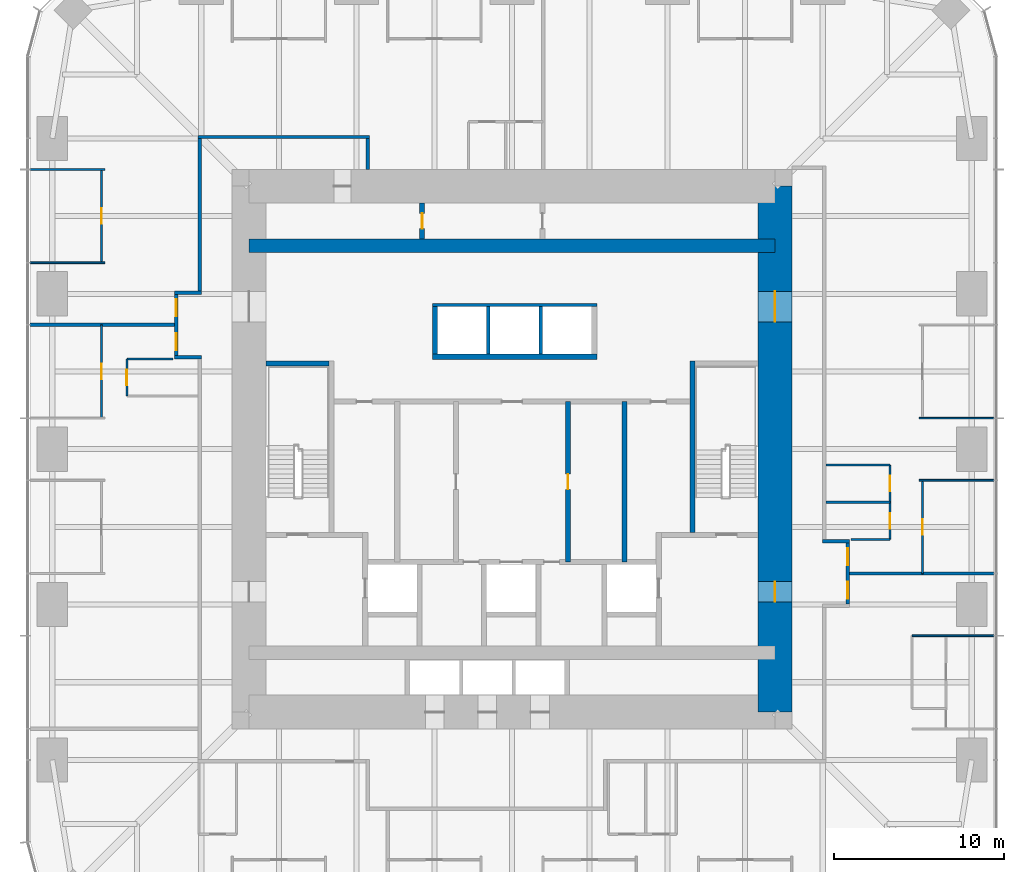
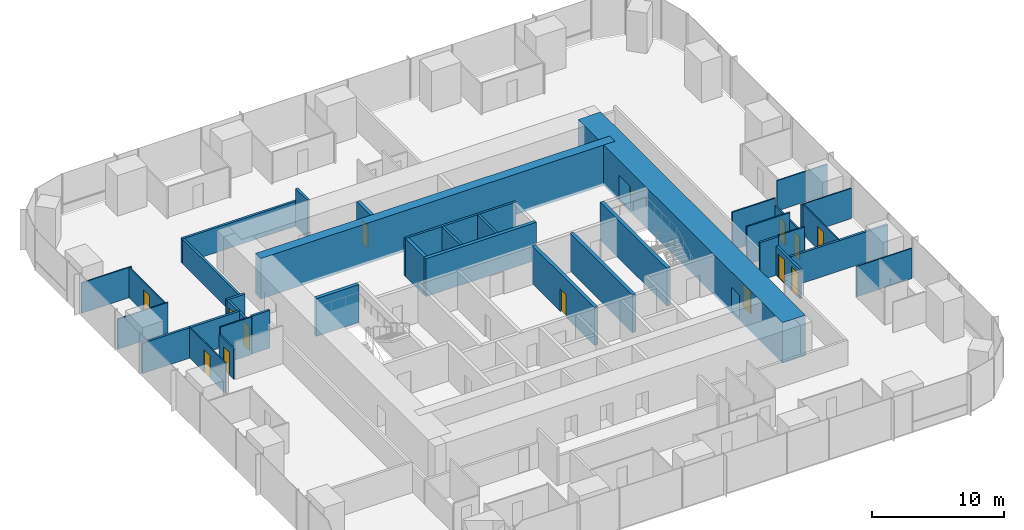
# One storey, part 10 of 12: 36 walls, 14 doors, 14 openings.
"""IFC4 building model written with IfcOpenShell, lengths in metres."""

from ifc_helpers import new_model, si_unit, direction, frame, frame_2d, origin, place, context, subcontext, project, spatial, rectangle, extrude, material, layer, layer_set, type_object, element, fill, save


model = new_model("IFC4")

# Units and contexts
model_context = context("Model", 3, precision=1e-05, world=origin(), true_north=direction((0.0, 1.0)))
body_context = subcontext(model_context, "Body", "Model", "MODEL_VIEW")
ifc_project = project(units=[si_unit("LENGTHUNIT", "METRE"), si_unit("AREAUNIT", "SQUARE_METRE"), si_unit("VOLUMEUNIT", "CUBIC_METRE"), si_unit("PLANEANGLEUNIT", "RADIAN"), si_unit("MASSUNIT", "GRAM", prefix="KILO")], contexts=[model_context])

# Site, building, storey
site_placement = place(None, origin())
site = spatial("IfcSite", under=ifc_project, at=site_placement, CompositionType="ELEMENT")
building_placement = place(site_placement, origin())
building = spatial("IfcBuilding", under=site, at=building_placement, Name="Khuree Lantern Residences", CompositionType="ELEMENT")
storey_placement = place(building_placement, frame((0.0, 0.0, 167.25)))
storey = spatial("IfcBuildingStorey", under=building, at=storey_placement, Name="L42", CompositionType="ELEMENT", Elevation=167.25)

# Wall, openings, doors
ifc_material_1 = material(Name="Moisture-resistant gypsum board on steel studs", Category="steel")
ifc_layer_1 = layer(ifc_material_1, 0.125)
ifc_layer_set_1 = layer_set([ifc_layer_1], Name="BATHROOM WALL BTW125")
wall_type_1 = type_object("IfcWallType", Name="BATHROOM WALL BTW125", PredefinedType="PARTITIONING", material=ifc_layer_set_1)
wall_1_placement = place(storey_placement, frame((22.27978515625, -5.327880859375, 0.0), z_axis=(0.0, 0.0, 1.0), x_axis=(0.0, 1.0, 0.0)))
wall_1 = element("IfcWall", 1, at=wall_1_placement, inside=storey, type_object=wall_type_1, Name="L42 BATHROOM WALL 01", PredefinedType="PARTITIONING", context=body_context, shape_type="SweptSolid", body=[
    extrude(rectangle(XDim=4.39990234375, YDim=0.125, at=frame_2d((2.199951171875, 0.0))), origin(), (0.0, 0.0, 1.0), 2.81005859375),
])
opening_1_placement = place(wall_1_placement, frame((0.64990234375, 0.0, 0.0)))
opening_1 = element("IfcOpeningElement", 2, at=opening_1_placement, cuts=wall_1, Name="Opening 42-026", PredefinedType="OPENING", context=body_context, shape_type="SweptSolid", body=[
    extrude(rectangle(XDim=0.89990234375, YDim=2.10009765625, at=frame_2d((0.449951171875, 1.050048828125))), frame((0.0, 0.072509765625, 0.0), z_axis=(0.0, -1.0, 0.0), x_axis=(1.0, 0.0, 0.0)), (0.0, 0.0, 1.0), 0.14501953125),
])
opening_2_placement = place(wall_1_placement, frame((2.85009765625, 0.0, 0.0)))
opening_2 = element("IfcOpeningElement", 3, at=opening_2_placement, cuts=wall_1, Name="Opening 42-027", PredefinedType="OPENING", context=body_context, shape_type="SweptSolid", body=[
    extrude(rectangle(XDim=0.89990234375, YDim=2.10009765625, at=frame_2d((0.449951171875, 1.050048828125))), frame((0.0, 0.072509765625, 0.0), z_axis=(0.0, -1.0, 0.0), x_axis=(1.0, 0.0, 0.0)), (0.0, 0.0, 1.0), 0.14501953125),
])
ifc_material_2 = material(Name="Timber door leaf in hardwood frame", Category="wood")
door_type_1 = type_object("IfcDoorType", Name="BATHROOM DOOR 900X2100", OperationType="SINGLE_SWING_LEFT", PredefinedType="DOOR", material=ifc_material_2)
door_1_placement = place(opening_1_placement, origin())
door_1 = element("IfcDoor", 4, at=door_1_placement, inside=storey, type_object=door_type_1, Name="Bathroom door 42-026", OperationType="SINGLE_SWING_LEFT", OverallHeight=2.10009765625, OverallWidth=0.89990234375, PredefinedType="DOOR", context=body_context, shape_type="SweptSolid", body=[
    extrude(rectangle(XDim=0.89990234375, YDim=2.10009765625, at=frame_2d((0.449951171875, 1.050048828125))), frame((0.0, 0.02490234375, 0.0), z_axis=(0.0, -1.0, 0.0), x_axis=(1.0, 0.0, 0.0)), (0.0, 0.0, 1.0), 0.050048828125),
])
fill(opening_1, door_1)
door_2_placement = place(opening_2_placement, origin())
door_2 = element("IfcDoor", 5, at=door_2_placement, inside=storey, type_object=door_type_1, Name="Bathroom door 42-027", OperationType="SINGLE_SWING_LEFT", OverallHeight=2.10009765625, OverallWidth=0.89990234375, PredefinedType="DOOR", context=body_context, shape_type="SweptSolid", body=[
    extrude(rectangle(XDim=0.89990234375, YDim=2.10009765625, at=frame_2d((0.449951171875, 1.050048828125))), frame((0.0, 0.02490234375, 0.0), z_axis=(0.0, -1.0, 0.0), x_axis=(1.0, 0.0, 0.0)), (0.0, 0.0, 1.0), 0.050048828125),
])
fill(opening_2, door_2)

# Walls
wall_2_placement = place(storey_placement, frame((19.969970703125, -5.327880859375, 0.0), z_axis=(0.0, 0.0, 1.0), x_axis=(1.0, 0.0, 0.0)))
element("IfcWall", 6, at=wall_2_placement, inside=storey, type_object=wall_type_1, Name="L42 BATHROOM WALL 01", PredefinedType="PARTITIONING", context=body_context, shape_type="SweptSolid", body=[
    extrude(rectangle(XDim=2.309814453125, YDim=0.125, at=frame_2d((1.15478515625, 0.0))), origin(), (0.0, 0.0, 1.0), 3.5),
])
for number, where, z_axis, x_axis, name in (
    (7, (18.5, -3.1279296875, 0.0), (0.0, 0.0, 1.0), (1.0, 0.0, 0.0), "L42 BATHROOM WALL 01"),
    (8, (18.5, -0.927978515625, 0.0), (0.0, 0.0, 1.0), (1.0, 0.0, 0.0), "L42 BATHROOM WALL 01"),
):
    element("IfcWall", number, at=place(storey_placement, frame(where, z_axis=z_axis, x_axis=x_axis)), inside=storey, type_object=wall_type_1, Name=name, PredefinedType="PARTITIONING", context=body_context, shape_type="SweptSolid", body=[
        extrude(rectangle(XDim=3.77978515625, YDim=0.125, at=frame_2d((1.889892578125, 0.0))), origin(), (0.0, 0.0, 1.0), 3.5),
    ])

# Wall, opening, door
wall_3_placement = place(storey_placement, frame((-22.699951171875, 5.327880859375, 0.0), z_axis=(0.0, 0.0, 1.0), x_axis=(0.0, -1.0, 0.0)))
wall_3 = element("IfcWall", 9, at=wall_3_placement, inside=storey, type_object=wall_type_1, Name="L42 BATHROOM WALL 03", PredefinedType="PARTITIONING", context=body_context, shape_type="SweptSolid", body=[
    extrude(rectangle(XDim=2.199951171875, YDim=0.125, at=frame_2d((1.10009765625, 0.0))), origin(), (0.0, 0.0, 1.0), 2.81005859375),
])
opening_3_placement = place(wall_3_placement, frame((0.64990234375, 0.0, 0.0)))
opening_3 = element("IfcOpeningElement", 10, at=opening_3_placement, cuts=wall_3, Name="Opening 42-037", PredefinedType="OPENING", context=body_context, shape_type="SweptSolid", body=[
    extrude(rectangle(XDim=0.89990234375, YDim=2.10009765625, at=frame_2d((0.449951171875, 1.050048828125))), frame((0.0, 0.072509765625, 0.0), z_axis=(0.0, -1.0, 0.0), x_axis=(1.0, 0.0, 0.0)), (0.0, 0.0, 1.0), 0.14501953125),
])
door_3_placement = place(opening_3_placement, origin())
door_3 = element("IfcDoor", 11, at=door_3_placement, inside=storey, type_object=door_type_1, Name="Bathroom door 42-037", OperationType="SINGLE_SWING_LEFT", OverallHeight=2.10009765625, OverallWidth=0.89990234375, PredefinedType="DOOR", context=body_context, shape_type="SweptSolid", body=[
    extrude(rectangle(XDim=0.89990234375, YDim=2.10009765625, at=frame_2d((0.449951171875, 1.050048828125))), frame((0.0, 0.02490234375, 0.0), z_axis=(0.0, -1.0, 0.0), x_axis=(1.0, 0.0, 0.0)), (0.0, 0.0, 1.0), 0.050048828125),
])
fill(opening_3, door_3)

# Walls
wall_4_placement = place(storey_placement, frame((-19.969970703125, 5.327880859375, 0.0), z_axis=(0.0, 0.0, 1.0), x_axis=(-1.0, 0.0, 0.0)))
element("IfcWall", 12, at=wall_4_placement, inside=storey, type_object=wall_type_1, Name="L42 BATHROOM WALL 03", PredefinedType="PARTITIONING", context=body_context, shape_type="SweptSolid", body=[
    extrude(rectangle(XDim=2.72998046875, YDim=0.125, at=frame_2d((1.364990234375, 0.0))), origin(), (0.0, 0.0, 1.0), 3.5),
])
ifc_material_3 = material(Name="Dense concrete blockwork", Category="masonry")
ifc_layer_2 = layer(ifc_material_3, 0.300048828125)
ifc_layer_set_2 = layer_set([ifc_layer_2], Name="CORE PARTITION WALL CPW300 EI 120")
wall_type_2 = type_object("IfcWallType", Name="CORE PARTITION WALL CPW300 EI 120", PredefinedType="PARTITIONING", material=ifc_layer_set_2)
wall_5_placement = place(storey_placement, frame((-4.699951171875, 5.449951171875, 0.0), z_axis=(0.0, 0.0, 1.0), x_axis=(1.0, 0.0, 0.0)))
element("IfcWall", 13, at=wall_5_placement, inside=storey, type_object=wall_type_2, Name="L42 CORE WALL PHS", PredefinedType="PARTITIONING", context=body_context, shape_type="SweptSolid", body=[
    extrude(rectangle(XDim=9.699951171875, YDim=0.300048828125, at=frame_2d((4.85009765625, 0.0))), origin(), (0.0, 0.0, 1.0), 3.5),
])
wall_6_placement = place(storey_placement, frame((-4.550048828125, 5.60009765625, 0.0), z_axis=(0.0, 0.0, 1.0), x_axis=(0.0, 1.0, 0.0)))
element("IfcWall", 14, at=wall_6_placement, inside=storey, type_object=wall_type_2, Name="L42 CORE WALL PHW", PredefinedType="PARTITIONING", context=body_context, shape_type="SweptSolid", body=[
    extrude(rectangle(XDim=2.7998046875, YDim=0.300048828125, at=frame_2d((1.39990234375, 0.0))), origin(), (0.0, 0.0, 1.0), 3.5),
])

# Wall, opening, door
wall_7_placement = place(storey_placement, frame((3.300048828125, -6.64990234375, 0.0), z_axis=(0.0, 0.0, 1.0), x_axis=(0.0, 1.0, 0.0)))
wall_7 = element("IfcWall", 15, at=wall_7_placement, inside=storey, type_object=wall_type_2, Name="L42 CORE WALL SVE", PredefinedType="PARTITIONING", context=body_context, shape_type="SweptSolid", body=[
    extrude(rectangle(XDim=9.449951171875, YDim=0.300048828125, at=frame_2d((4.72509765625, 0.0))), origin(), (0.0, 0.0, 1.0), 3.5),
])
opening_4_placement = place(wall_7_placement, frame((4.27490234375, 0.0, 0.0)))
opening_4 = element("IfcOpeningElement", 16, at=opening_4_placement, cuts=wall_7, Name="Opening 42-018", PredefinedType="OPENING", context=body_context, shape_type="SweptSolid", body=[
    extrude(rectangle(XDim=0.89990234375, YDim=2.10009765625, at=frame_2d((0.449951171875, 1.050048828125))), frame((0.0, 0.16015625, 0.0), z_axis=(0.0, -1.0, 0.0), x_axis=(1.0, 0.0, 0.0)), (0.0, 0.0, 1.0), 0.320068359375),
])
door_type_2 = type_object("IfcDoorType", Name="DOOR 900X2100", OperationType="SINGLE_SWING_LEFT", PredefinedType="DOOR", material=ifc_material_2)
door_4_placement = place(opening_4_placement, origin())
door_4 = element("IfcDoor", 17, at=door_4_placement, inside=storey, type_object=door_type_2, Name="Residents' store door 42-018", OperationType="SINGLE_SWING_LEFT", OverallHeight=2.10009765625, OverallWidth=0.89990234375, PredefinedType="DOOR", context=body_context, shape_type="SweptSolid", body=[
    extrude(rectangle(XDim=0.89990234375, YDim=2.10009765625, at=frame_2d((0.449951171875, 1.050048828125))), frame((0.0, 0.02490234375, 0.0), z_axis=(0.0, -1.0, 0.0), x_axis=(1.0, 0.0, 0.0)), (0.0, 0.0, 1.0), 0.050048828125),
])
fill(opening_4, door_4)

# Wall
wall_8_placement = place(storey_placement, frame((6.6220703125, -6.64990234375, 0.0), z_axis=(0.0, 0.0, 1.0), x_axis=(0.0, 1.0, 0.0)))
element("IfcWall", 18, at=wall_8_placement, inside=storey, type_object=wall_type_2, Name="L42 CORE WALL EV", PredefinedType="PARTITIONING", context=body_context, shape_type="SweptSolid", body=[
    extrude(rectangle(XDim=9.449951171875, YDim=0.300048828125, at=frame_2d((4.72509765625, 0.0))), origin(), (0.0, 0.0, 1.0), 3.5),
])

# Wall, opening, door
wall_9_placement = place(storey_placement, frame((-5.300048828125, 12.39990234375, 0.0), z_axis=(0.0, 0.0, 1.0), x_axis=(0.0, 1.0, 0.0)))
wall_9 = element("IfcWall", 19, at=wall_9_placement, inside=storey, type_object=wall_type_2, Name="L42 CORE WALL PLX", PredefinedType="PARTITIONING", context=body_context, shape_type="SweptSolid", body=[
    extrude(rectangle(XDim=2.10009765625, YDim=0.300048828125, at=frame_2d((1.050048828125, 0.0))), origin(), (0.0, 0.0, 1.0), 3.5),
])
opening_5_placement = place(wall_9_placement, frame((0.60009765625, 0.0, 0.0)))
opening_5 = element("IfcOpeningElement", 20, at=opening_5_placement, cuts=wall_9, Name="Opening 42-020", PredefinedType="OPENING", context=body_context, shape_type="SweptSolid", body=[
    extrude(rectangle(XDim=0.89990234375, YDim=2.10009765625, at=frame_2d((0.449951171875, 1.050048828125))), frame((0.0, 0.16015625, 0.0), z_axis=(0.0, -1.0, 0.0), x_axis=(1.0, 0.0, 0.0)), (0.0, 0.0, 1.0), 0.320068359375),
])
door_5_placement = place(opening_5_placement, origin())
door_5 = element("IfcDoor", 21, at=door_5_placement, inside=storey, type_object=door_type_2, Name="Store door 42-020", OperationType="SINGLE_SWING_LEFT", OverallHeight=2.10009765625, OverallWidth=0.89990234375, PredefinedType="DOOR", context=body_context, shape_type="SweptSolid", body=[
    extrude(rectangle(XDim=0.89990234375, YDim=2.10009765625, at=frame_2d((0.449951171875, 1.050048828125))), frame((0.0, 0.02490234375, 0.0), z_axis=(0.0, -1.0, 0.0), x_axis=(1.0, 0.0, 0.0)), (0.0, 0.0, 1.0), 0.050048828125),
])
fill(opening_5, door_5)

# Walls
ifc_material_4 = material(Name="Gypsum board on steel studs", Category="steel")
ifc_layer_3 = layer(ifc_material_4, 0.199951171875)
ifc_layer_set_3 = layer_set([ifc_layer_3], Name="CORRIDOR WALL CRW200 EI 60")
wall_type_3 = type_object("IfcWallType", Name="CORRIDOR WALL CRW200 EI 60", PredefinedType="PARTITIONING", material=ifc_layer_set_3)
wall_10_placement = place(storey_placement, frame((-18.5, 18.39990234375, 0.0), z_axis=(0.0, 0.0, 1.0), x_axis=(1.0, 0.0, 0.0)))
element("IfcWall", 22, at=wall_10_placement, inside=storey, type_object=wall_type_3, Name="L42 CORRIDOR WALL NORTH", PredefinedType="PARTITIONING", context=body_context, shape_type="SweptSolid", body=[
    extrude(rectangle(XDim=10.10009765625, YDim=0.199951171875, at=frame_2d((5.050048828125, 0.0))), origin(), (0.0, 0.0, 1.0), 2.300048828125),
])
wall_11_placement = place(storey_placement, frame((-8.5, 18.300048828125, 0.0), z_axis=(0.0, 0.0, 1.0), x_axis=(0.0, -1.0, 0.0)))
element("IfcWall", 23, at=wall_11_placement, inside=storey, type_object=wall_type_3, Name="L42 NORTH CORRIDOR END WALL", PredefinedType="PARTITIONING", context=body_context, shape_type="SweptSolid", body=[
    extrude(rectangle(XDim=1.800048828125, YDim=0.199951171875, at=frame_2d((0.89990234375, 0.0))), origin(), (0.0, 0.0, 1.0), 3.5),
])
wall_12_placement = place(storey_placement, frame((18.300048828125, -5.427978515625, 0.0), z_axis=(0.0, 0.0, 1.0), x_axis=(1.0, 0.0, 0.0)))
element("IfcWall", 24, at=wall_12_placement, inside=storey, type_object=wall_type_3, Name="L42 CORRIDOR ALCOVE WALL EAST", PredefinedType="PARTITIONING", context=body_context, shape_type="SweptSolid", body=[
    extrude(rectangle(XDim=1.599853515625, YDim=0.199951171875, at=frame_2d((0.7998046875, 0.0))), origin(), (0.0, 0.0, 1.0), 3.5),
])

# Wall, openings, doors
wall_13_placement = place(storey_placement, frame((19.800048828125, -9.1279296875, 0.0), z_axis=(0.0, 0.0, 1.0), x_axis=(0.0, 1.0, 0.0)))
wall_13 = element("IfcWall", 25, at=wall_13_placement, inside=storey, type_object=wall_type_3, Name="L42 CORRIDOR ALCOVE WALL EAST", PredefinedType="PARTITIONING", context=body_context, shape_type="SweptSolid", body=[
    extrude(rectangle(XDim=3.599853515625, YDim=0.199951171875, at=frame_2d((1.7998046875, 0.0))), origin(), (0.0, 0.0, 1.0), 2.699951171875),
])
opening_6_placement = place(wall_13_placement, frame((2.300048828125, 0.0, 0.0)))
opening_6 = element("IfcOpeningElement", 26, at=opening_6_placement, cuts=wall_13, Name="Opening 42-028", PredefinedType="OPENING", context=body_context, shape_type="SweptSolid", body=[
    extrude(rectangle(XDim=1.0, YDim=2.199951171875, at=frame_2d((0.5, 1.10009765625))), frame((0.0, 0.10986328125, 0.0), z_axis=(0.0, -1.0, 0.0), x_axis=(1.0, 0.0, 0.0)), (0.0, 0.0, 1.0), 0.219970703125),
])
opening_7_placement = place(wall_13_placement, frame((0.300048828125, 0.0, 0.0)))
opening_7 = element("IfcOpeningElement", 27, at=opening_7_placement, cuts=wall_13, Name="Opening 42-049", PredefinedType="OPENING", context=body_context, shape_type="SweptSolid", body=[
    extrude(rectangle(XDim=1.0, YDim=2.199951171875, at=frame_2d((0.5, 1.10009765625))), frame((0.0, 0.10986328125, 0.0), z_axis=(0.0, -1.0, 0.0), x_axis=(1.0, 0.0, 0.0)), (0.0, 0.0, 1.0), 0.219970703125),
])
door_type_3 = type_object("IfcDoorType", Name="APARTMENT ENTRANCE DOOR 1000X2200 EI 30S", OperationType="SINGLE_SWING_LEFT", PredefinedType="DOOR", material=ifc_material_2)
door_6_placement = place(opening_7_placement, origin())
door_6 = element("IfcDoor", 28, at=door_6_placement, inside=storey, type_object=door_type_3, Name="Apartment 05 entrance door 42-049", OperationType="SINGLE_SWING_LEFT", OverallHeight=2.199951171875, OverallWidth=1.0, PredefinedType="DOOR", context=body_context, shape_type="SweptSolid", body=[
    extrude(rectangle(XDim=1.0, YDim=2.199951171875, at=frame_2d((0.5, 1.10009765625))), frame((0.0, 0.02490234375, 0.0), z_axis=(0.0, -1.0, 0.0), x_axis=(1.0, 0.0, 0.0)), (0.0, 0.0, 1.0), 0.050048828125),
])
fill(opening_7, door_6)
door_type_4 = type_object("IfcDoorType", Name="APARTMENT ENTRANCE DOOR 1000X2200 EI 30S RIGHT HAND", OperationType="SINGLE_SWING_RIGHT", PredefinedType="DOOR", material=ifc_material_2)
door_7_placement = place(opening_6_placement, origin())
door_7 = element("IfcDoor", 29, at=door_7_placement, inside=storey, type_object=door_type_4, Name="Apartment 01 entrance door 42-028", OperationType="SINGLE_SWING_RIGHT", OverallHeight=2.199951171875, OverallWidth=1.0, PredefinedType="DOOR", context=body_context, shape_type="SweptSolid", body=[
    extrude(rectangle(XDim=1.0, YDim=2.199951171875, at=frame_2d((0.5, 1.10009765625))), frame((0.0, 0.02490234375, 0.0), z_axis=(0.0, -1.0, 0.0), x_axis=(1.0, 0.0, 0.0)), (0.0, 0.0, 1.0), 0.050048828125),
])
fill(opening_6, door_7)

# Walls
wall_14_placement = place(storey_placement, frame((-18.39990234375, 18.300048828125, 0.0), z_axis=(0.0, 0.0, 1.0), x_axis=(0.0, -1.0, 0.0)))
element("IfcWall", 30, at=wall_14_placement, inside=storey, type_object=wall_type_3, Name="L42 CORRIDOR WALL WEST 1", PredefinedType="PARTITIONING", context=body_context, shape_type="SweptSolid", body=[
    extrude(rectangle(XDim=8.97216796875, YDim=0.199951171875, at=frame_2d((4.486083984375, 0.0))), origin(), (0.0, 0.0, 1.0), 2.300048828125),
])
wall_15_placement = place(storey_placement, frame((-18.300048828125, 9.22802734375, 0.0), z_axis=(0.0, 0.0, 1.0), x_axis=(-1.0, 0.0, 0.0)))
element("IfcWall", 31, at=wall_15_placement, inside=storey, type_object=wall_type_3, Name="L42 CORRIDOR ALCOVE WALL WEST", PredefinedType="PARTITIONING", context=body_context, shape_type="SweptSolid", body=[
    extrude(rectangle(XDim=1.599853515625, YDim=0.199951171875, at=frame_2d((0.7998046875, 0.0))), origin(), (0.0, 0.0, 1.0), 2.699951171875),
])
wall_16_placement = place(storey_placement, frame((-18.300048828125, 5.427978515625, 0.0), z_axis=(0.0, 0.0, 1.0), x_axis=(-1.0, 0.0, 0.0)))
element("IfcWall", 32, at=wall_16_placement, inside=storey, type_object=wall_type_3, Name="L42 CORRIDOR ALCOVE WALL WEST", PredefinedType="PARTITIONING", context=body_context, shape_type="SweptSolid", body=[
    extrude(rectangle(XDim=1.599853515625, YDim=0.199951171875, at=frame_2d((0.7998046875, 0.0))), origin(), (0.0, 0.0, 1.0), 3.5),
])

# Wall, openings, doors
wall_17_placement = place(storey_placement, frame((-19.800048828125, 9.1279296875, 0.0), z_axis=(0.0, 0.0, 1.0), x_axis=(0.0, -1.0, 0.0)))
wall_17 = element("IfcWall", 33, at=wall_17_placement, inside=storey, type_object=wall_type_3, Name="L42 CORRIDOR ALCOVE WALL WEST", PredefinedType="PARTITIONING", context=body_context, shape_type="SweptSolid", body=[
    extrude(rectangle(XDim=3.599853515625, YDim=0.199951171875, at=frame_2d((1.7998046875, 0.0))), origin(), (0.0, 0.0, 1.0), 2.699951171875),
])
opening_8_placement = place(wall_17_placement, frame((0.300048828125, 0.0, 0.0)))
opening_8 = element("IfcOpeningElement", 34, at=opening_8_placement, cuts=wall_17, Name="Opening 42-034", PredefinedType="OPENING", context=body_context, shape_type="SweptSolid", body=[
    extrude(rectangle(XDim=1.0, YDim=2.199951171875, at=frame_2d((0.5, 1.10009765625))), frame((0.0, 0.10986328125, 0.0), z_axis=(0.0, -1.0, 0.0), x_axis=(1.0, 0.0, 0.0)), (0.0, 0.0, 1.0), 0.219970703125),
])
opening_9_placement = place(wall_17_placement, frame((2.300048828125, 0.0, 0.0)))
opening_9 = element("IfcOpeningElement", 35, at=opening_9_placement, cuts=wall_17, Name="Opening 42-038", PredefinedType="OPENING", context=body_context, shape_type="SweptSolid", body=[
    extrude(rectangle(XDim=1.0, YDim=2.199951171875, at=frame_2d((0.5, 1.10009765625))), frame((0.0, 0.10986328125, 0.0), z_axis=(0.0, -1.0, 0.0), x_axis=(1.0, 0.0, 0.0)), (0.0, 0.0, 1.0), 0.219970703125),
])
door_8_placement = place(opening_8_placement, origin())
door_8 = element("IfcDoor", 36, at=door_8_placement, inside=storey, type_object=door_type_3, Name="Apartment 02 entrance door 42-034", OperationType="SINGLE_SWING_LEFT", OverallHeight=2.199951171875, OverallWidth=1.0, PredefinedType="DOOR", context=body_context, shape_type="SweptSolid", body=[
    extrude(rectangle(XDim=1.0, YDim=2.199951171875, at=frame_2d((0.5, 1.10009765625))), frame((0.0, 0.02490234375, 0.0), z_axis=(0.0, -1.0, 0.0), x_axis=(1.0, 0.0, 0.0)), (0.0, 0.0, 1.0), 0.050048828125),
])
fill(opening_8, door_8)
door_9_placement = place(opening_9_placement, origin())
door_9 = element("IfcDoor", 37, at=door_9_placement, inside=storey, type_object=door_type_4, Name="Apartment 03 entrance door 42-038", OperationType="SINGLE_SWING_RIGHT", OverallHeight=2.199951171875, OverallWidth=1.0, PredefinedType="DOOR", context=body_context, shape_type="SweptSolid", body=[
    extrude(rectangle(XDim=1.0, YDim=2.199951171875, at=frame_2d((0.5, 1.10009765625))), frame((0.0, 0.02490234375, 0.0), z_axis=(0.0, -1.0, 0.0), x_axis=(1.0, 0.0, 0.0)), (0.0, 0.0, 1.0), 0.050048828125),
])
fill(opening_9, door_9)

ifc_material_5 = material(Name="Concrete C70/85", Category="concrete")
ifc_layer_4 = layer(ifc_material_5, 2.0)
ifc_layer_set_4 = layer_set([ifc_layer_4], Name="CW2000-C70 CORE WALL C70 2000")
wall_type_4 = type_object("IfcWallType", Name="CW2000-C70 CORE WALL C70 2000", PredefinedType="SHEAR", material=ifc_layer_set_4)
wall_18_placement = place(storey_placement, frame((15.5, -15.5, -0.25), z_axis=(0.0, 0.0, 1.0), x_axis=(0.0, 1.0, 0.0)))
wall_18 = element("IfcWall", 38, at=wall_18_placement, inside=storey, type_object=wall_type_4, Name="Core wall E", PredefinedType="SHEAR", context=body_context, shape_type="SweptSolid", body=[
    extrude(rectangle(XDim=31.0, YDim=2.0, at=frame_2d((15.5, 0.0))), origin(), (0.0, 0.0, 1.0), 3.75),
])
opening_10_placement = place(wall_18_placement, frame((6.5, 0.0, 0.25)))
opening_10 = element("IfcOpeningElement", 39, at=opening_10_placement, cuts=wall_18, Name="Opening 42-005", PredefinedType="OPENING", context=body_context, shape_type="SweptSolid", body=[
    extrude(rectangle(XDim=1.199951171875, YDim=2.10009765625, at=frame_2d((0.60009765625, 1.050048828125))), frame((0.0, 1.010009765625, 0.0), z_axis=(0.0, -1.0, 0.0), x_axis=(1.0, 0.0, 0.0)), (0.0, 0.0, 1.0), 2.02001953125),
])
opening_11_placement = place(wall_18_placement, frame((23.0, 0.0, 0.25)))
opening_11 = element("IfcOpeningElement", 40, at=opening_11_placement, cuts=wall_18, Name="Opening 42-006", PredefinedType="OPENING", context=body_context, shape_type="SweptSolid", body=[
    extrude(rectangle(XDim=1.800048828125, YDim=2.10009765625, at=frame_2d((0.89990234375, 1.050048828125))), frame((0.0, 1.010009765625, 0.0), z_axis=(0.0, -1.0, 0.0), x_axis=(1.0, 0.0, 0.0)), (0.0, 0.0, 1.0), 2.02001953125),
])
ifc_material_6 = material(Name="Steel door leaf in steel frame", Category="steel")
door_type_5 = type_object("IfcDoorType", Name="LOBBY DOOR 1200X2100 EI 120", OperationType="SINGLE_SWING_LEFT", PredefinedType="DOOR", material=ifc_material_6)
door_10_placement = place(opening_10_placement, origin())
door_10 = element("IfcDoor", 41, at=door_10_placement, inside=storey, type_object=door_type_5, Name="Firefighting lobby door 42-005", OperationType="SINGLE_SWING_LEFT", OverallHeight=2.10009765625, OverallWidth=1.199951171875, PredefinedType="DOOR", context=body_context, shape_type="SweptSolid", body=[
    extrude(rectangle(XDim=1.199951171875, YDim=2.10009765625, at=frame_2d((0.60009765625, 1.050048828125))), frame((0.0, 0.02490234375, 0.0), z_axis=(0.0, -1.0, 0.0), x_axis=(1.0, 0.0, 0.0)), (0.0, 0.0, 1.0), 0.050048828125),
])
fill(opening_10, door_10)
door_type_6 = type_object("IfcDoorType", Name="LOBBY DOUBLE DOOR 1800X2100 EI 60", OperationType="DOUBLE_DOOR_SINGLE_SWING", PredefinedType="DOOR", material=ifc_material_6)
door_11_placement = place(opening_11_placement, origin())
door_11 = element("IfcDoor", 42, at=door_11_placement, inside=storey, type_object=door_type_6, Name="Lift lobby door 42-006", OperationType="DOUBLE_DOOR_SINGLE_SWING", OverallHeight=2.10009765625, OverallWidth=1.800048828125, PredefinedType="DOOR", context=body_context, shape_type="SweptSolid", body=[
    extrude(rectangle(XDim=1.800048828125, YDim=2.10009765625, at=frame_2d((0.89990234375, 1.050048828125))), frame((0.0, 0.02490234375, 0.0), z_axis=(0.0, -1.0, 0.0), x_axis=(1.0, 0.0, 0.0)), (0.0, 0.0, 1.0), 0.050048828125),
])
fill(opening_11, door_11)

# Walls
ifc_layer_5 = layer(ifc_material_4, 0.199951171875)
ifc_layer_set_5 = layer_set([ifc_layer_5], Name="DEMISING WALL DMW200 EI 90")
wall_type_5 = type_object("IfcWallType", Name="DEMISING WALL DMW200 EI 90", PredefinedType="PARTITIONING", material=ifc_layer_set_5)
for number, where, z_axis, x_axis, name in (
    (43, (19.89990234375, -7.327880859375, 0.0), (0.0, 0.0, 1.0), (1.0, 0.0, 0.0), "L42 DEMISING WALL 01"),
    (44, (-19.89990234375, 7.327880859375, 0.0), (0.0, 0.0, 1.0), (-1.0, 0.0, 0.0), "L42 DEMISING WALL 03"),
):
    element("IfcWall", number, at=place(storey_placement, frame(where, z_axis=z_axis, x_axis=x_axis)), inside=storey, type_object=wall_type_5, Name=name, PredefinedType="PARTITIONING", context=body_context, shape_type="SweptSolid", body=[
        extrude(rectangle(XDim=8.5, YDim=0.199951171875, at=frame_2d((4.25, 0.0))), origin(), (0.0, 0.0, 1.0), 2.81005859375),
    ])
ifc_layer_6 = layer(ifc_material_4, 0.10009765625)
ifc_layer_set_6 = layer_set([ifc_layer_6], Name="PARTITION PT100")
wall_type_6 = type_object("IfcWallType", Name="PARTITION PT100", PredefinedType="PARTITIONING", material=ifc_layer_set_6)
for number, where, z_axis, x_axis, name in (
    (45, (24.0, -1.83203125, 0.0), (0.0, 0.0, 1.0), (1.0, 0.0, 0.0), "L42 PARTITION 01"),
    (46, (24.0, 1.83203125, 0.0), (0.0, 0.0, 1.0), (1.0, 0.0, 0.0), "L42 PARTITION 01"),
    (47, (-24.0, 16.488037109375, 0.0), (0.0, 0.0, 1.0), (-1.0, 0.0, 0.0), "L42 PARTITION 02"),
    (48, (-24.0, 10.991943359375, 0.0), (0.0, 0.0, 1.0), (-1.0, 0.0, 0.0), "L42 PARTITION 02"),
):
    element("IfcWall", number, at=place(storey_placement, frame(where, z_axis=z_axis, x_axis=x_axis)), inside=storey, type_object=wall_type_6, Name=name, PredefinedType="PARTITIONING", context=body_context, shape_type="SweptSolid", body=[
        extrude(rectangle(XDim=4.39990234375, YDim=0.10009765625, at=frame_2d((2.199951171875, 0.0))), origin(), (0.0, 0.0, 1.0), 2.81005859375),
    ])
wall_19_placement = place(storey_placement, frame((23.579833984375, -10.991943359375, 0.0), z_axis=(0.0, 0.0, 1.0), x_axis=(1.0, 0.0, 0.0)))
element("IfcWall", 49, at=wall_19_placement, inside=storey, type_object=wall_type_6, Name="L42 PARTITION 05", PredefinedType="PARTITIONING", context=body_context, shape_type="SweptSolid", body=[
    extrude(rectangle(XDim=4.820068359375, YDim=0.10009765625, at=frame_2d((2.41015625, 0.0))), origin(), (0.0, 0.0, 1.0), 2.81005859375),
])

# Wall, opening, door
wall_20_placement = place(storey_placement, frame((24.199951171875, -7.327880859375, 0.0), z_axis=(0.0, 0.0, 1.0), x_axis=(0.0, 1.0, 0.0)))
wall_20 = element("IfcWall", 50, at=wall_20_placement, inside=storey, type_object=wall_type_6, Name="L42 PARTITION 01", PredefinedType="PARTITIONING", context=body_context, shape_type="SweptSolid", body=[
    extrude(rectangle(XDim=5.495849609375, YDim=0.10009765625, at=frame_2d((2.748046875, 0.0))), origin(), (0.0, 0.0, 1.0), 2.81005859375),
])
opening_12_placement = place(wall_20_placement, frame((2.298095703125, 0.0, 0.0)))
opening_12 = element("IfcOpeningElement", 51, at=opening_12_placement, cuts=wall_20, Name="Opening 42-023", PredefinedType="OPENING", context=body_context, shape_type="SweptSolid", body=[
    extrude(rectangle(XDim=0.89990234375, YDim=2.10009765625, at=frame_2d((0.449951171875, 1.050048828125))), frame((0.0, 0.06005859375, 0.0), z_axis=(0.0, -1.0, 0.0), x_axis=(1.0, 0.0, 0.0)), (0.0, 0.0, 1.0), 0.1201171875),
])
door_type_7 = type_object("IfcDoorType", Name="BEDROOM DOOR 900X2100", OperationType="SINGLE_SWING_LEFT", PredefinedType="DOOR", material=ifc_material_2)
door_12_placement = place(opening_12_placement, origin())
door_12 = element("IfcDoor", 52, at=door_12_placement, inside=storey, type_object=door_type_7, Name="Bedroom door 42-023", OperationType="SINGLE_SWING_LEFT", OverallHeight=2.10009765625, OverallWidth=0.89990234375, PredefinedType="DOOR", context=body_context, shape_type="SweptSolid", body=[
    extrude(rectangle(XDim=0.89990234375, YDim=2.10009765625, at=frame_2d((0.449951171875, 1.050048828125))), frame((0.0, 0.02490234375, 0.0), z_axis=(0.0, -1.0, 0.0), x_axis=(1.0, 0.0, 0.0)), (0.0, 0.0, 1.0), 0.050048828125),
])
fill(opening_12, door_12)

wall_21_placement = place(storey_placement, frame((-24.199951171875, 16.488037109375, 0.0), z_axis=(0.0, 0.0, 1.0), x_axis=(0.0, -1.0, 0.0)))
wall_21 = element("IfcWall", 53, at=wall_21_placement, inside=storey, type_object=wall_type_6, Name="L42 PARTITION 02", PredefinedType="PARTITIONING", context=body_context, shape_type="SweptSolid", body=[
    extrude(rectangle(XDim=5.49609375, YDim=0.10009765625, at=frame_2d((2.748046875, 0.0))), origin(), (0.0, 0.0, 1.0), 2.81005859375),
])
opening_13_placement = place(wall_21_placement, frame((2.298095703125, 0.0, 0.0)))
opening_13 = element("IfcOpeningElement", 54, at=opening_13_placement, cuts=wall_21, Name="Opening 42-031", PredefinedType="OPENING", context=body_context, shape_type="SweptSolid", body=[
    extrude(rectangle(XDim=0.89990234375, YDim=2.10009765625, at=frame_2d((0.449951171875, 1.050048828125))), frame((0.0, 0.06005859375, 0.0), z_axis=(0.0, -1.0, 0.0), x_axis=(1.0, 0.0, 0.0)), (0.0, 0.0, 1.0), 0.1201171875),
])
door_13_placement = place(opening_13_placement, origin())
door_13 = element("IfcDoor", 55, at=door_13_placement, inside=storey, type_object=door_type_7, Name="Bedroom door 42-031", OperationType="SINGLE_SWING_LEFT", OverallHeight=2.10009765625, OverallWidth=0.89990234375, PredefinedType="DOOR", context=body_context, shape_type="SweptSolid", body=[
    extrude(rectangle(XDim=0.89990234375, YDim=2.10009765625, at=frame_2d((0.449951171875, 1.050048828125))), frame((0.0, 0.02490234375, 0.0), z_axis=(0.0, -1.0, 0.0), x_axis=(1.0, 0.0, 0.0)), (0.0, 0.0, 1.0), 0.050048828125),
])
fill(opening_13, door_13)

wall_22_placement = place(storey_placement, frame((-24.199951171875, 7.327880859375, 0.0), z_axis=(0.0, 0.0, 1.0), x_axis=(0.0, -1.0, 0.0)))
wall_22 = element("IfcWall", 56, at=wall_22_placement, inside=storey, type_object=wall_type_6, Name="L42 PARTITION 03", PredefinedType="PARTITIONING", context=body_context, shape_type="SweptSolid", body=[
    extrude(rectangle(XDim=5.495849609375, YDim=0.10009765625, at=frame_2d((2.748046875, 0.0))), origin(), (0.0, 0.0, 1.0), 2.81005859375),
])
opening_14_placement = place(wall_22_placement, frame((2.298095703125, 0.0, 0.0)))
opening_14 = element("IfcOpeningElement", 57, at=opening_14_placement, cuts=wall_22, Name="Opening 42-035", PredefinedType="OPENING", context=body_context, shape_type="SweptSolid", body=[
    extrude(rectangle(XDim=0.89990234375, YDim=2.10009765625, at=frame_2d((0.449951171875, 1.050048828125))), frame((0.0, 0.06005859375, 0.0), z_axis=(0.0, -1.0, 0.0), x_axis=(1.0, 0.0, 0.0)), (0.0, 0.0, 1.0), 0.1201171875),
])
door_14_placement = place(opening_14_placement, origin())
door_14 = element("IfcDoor", 58, at=door_14_placement, inside=storey, type_object=door_type_7, Name="Bedroom door 42-035", OperationType="SINGLE_SWING_LEFT", OverallHeight=2.10009765625, OverallWidth=0.89990234375, PredefinedType="DOOR", context=body_context, shape_type="SweptSolid", body=[
    extrude(rectangle(XDim=0.89990234375, YDim=2.10009765625, at=frame_2d((0.449951171875, 1.050048828125))), frame((0.0, 0.02490234375, 0.0), z_axis=(0.0, -1.0, 0.0), x_axis=(1.0, 0.0, 0.0)), (0.0, 0.0, 1.0), 0.050048828125),
])
fill(opening_14, door_14)

# Walls
ifc_layer_7 = layer(ifc_material_3, 0.199951171875)
ifc_layer_set_7 = layer_set([ifc_layer_7], Name="SHAFT WALL SHW200 EI 120")
wall_type_7 = type_object("IfcWallType", Name="SHAFT WALL SHW200 EI 120", PredefinedType="PARTITIONING", material=ifc_layer_set_7)
wall_23_placement = place(storey_placement, frame((-4.699951171875, 8.5, 0.0), z_axis=(0.0, 0.0, 1.0), x_axis=(1.0, 0.0, 0.0)))
element("IfcWall", 59, at=wall_23_placement, inside=storey, type_object=wall_type_7, Name="L42 CORE WALL PHN", PredefinedType="PARTITIONING", context=body_context, shape_type="SweptSolid", body=[
    extrude(rectangle(XDim=9.699951171875, YDim=0.199951171875, at=frame_2d((4.85009765625, 0.0))), origin(), (0.0, 0.0, 1.0), 3.5),
])
for number, where, z_axis, x_axis, name in (
    (60, (-1.39990234375, 5.60009765625, 0.0), (0.0, 0.0, 1.0), (0.0, 1.0, 0.0), "L42 CORE WALL PHD1"),
    (61, (1.699951171875, 5.60009765625, 0.0), (0.0, 0.0, 1.0), (0.0, 1.0, 0.0), "L42 CORE WALL PHD2"),
):
    element("IfcWall", number, at=place(storey_placement, frame(where, z_axis=z_axis, x_axis=x_axis)), inside=storey, type_object=wall_type_7, Name=name, PredefinedType="PARTITIONING", context=body_context, shape_type="SweptSolid", body=[
        extrude(rectangle(XDim=2.7998046875, YDim=0.199951171875, at=frame_2d((1.39990234375, 0.0))), origin(), (0.0, 0.0, 1.0), 3.5),
    ])
ifc_layer_8 = layer(ifc_material_5, 0.800048828125)
ifc_layer_set_8 = layer_set([ifc_layer_8], Name="SP800-C70 CORE SPINE WALL C70 800")
wall_type_8 = type_object("IfcWallType", Name="SP800-C70 CORE SPINE WALL C70 800", PredefinedType="SHEAR", material=ifc_layer_set_8)
wall_24_placement = place(storey_placement, frame((-15.5, 12.0, -0.25), z_axis=(0.0, 0.0, 1.0), x_axis=(1.0, 0.0, 0.0)))
element("IfcWall", 62, at=wall_24_placement, inside=storey, type_object=wall_type_8, Name="Core wall SPN", PredefinedType="SHEAR", context=body_context, shape_type="SweptSolid", body=[
    extrude(rectangle(XDim=31.0, YDim=0.800048828125, at=frame_2d((15.5, 0.0))), origin(), (0.0, 0.0, 1.0), 3.75),
])
ifc_material_7 = material(Name="Concrete C50/60", Category="concrete")
ifc_layer_9 = layer(ifc_material_7, 0.300048828125)
ifc_layer_set_9 = layer_set([ifc_layer_9], Name="STAIR WALL SRW300 C50/60 REI 240")
wall_type_9 = type_object("IfcWallType", Name="STAIR WALL SRW300 C50/60 REI 240", PredefinedType="SOLIDWALL", material=ifc_layer_set_9)
wall_25_placement = place(storey_placement, frame((-14.5, 5.050048828125, 0.0), z_axis=(0.0, 0.0, 1.0), x_axis=(1.0, 0.0, 0.0)))
element("IfcWall", 63, at=wall_25_placement, inside=storey, type_object=wall_type_9, Name="L42 STAIR WALL ST1N", PredefinedType="SOLIDWALL", context=body_context, shape_type="SweptSolid", body=[
    extrude(rectangle(XDim=3.699951171875, YDim=0.300048828125, at=frame_2d((1.85009765625, 0.0))), origin(), (0.0, 0.0, 1.0), 3.5),
])
wall_26_placement = place(storey_placement, frame((10.64990234375, -4.89990234375, 0.0), z_axis=(0.0, 0.0, 1.0), x_axis=(0.0, 1.0, 0.0)))
element("IfcWall", 64, at=wall_26_placement, inside=storey, type_object=wall_type_9, Name="L42 STAIR WALL ST2E", PredefinedType="SOLIDWALL", context=body_context, shape_type="SweptSolid", body=[
    extrude(rectangle(XDim=10.099853515625, YDim=0.300048828125, at=frame_2d((5.0498046875, 0.0))), origin(), (0.0, 0.0, 1.0), 3.5),
])

save(model, "model.ifc")
